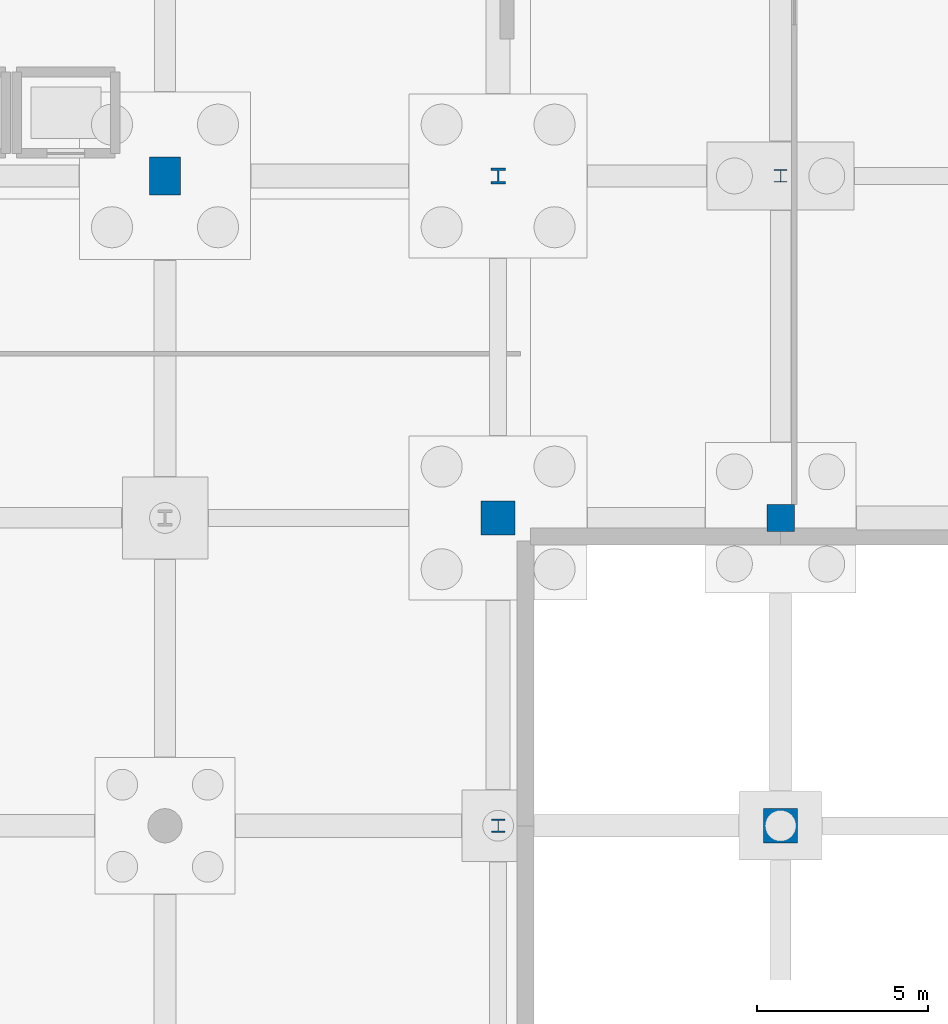
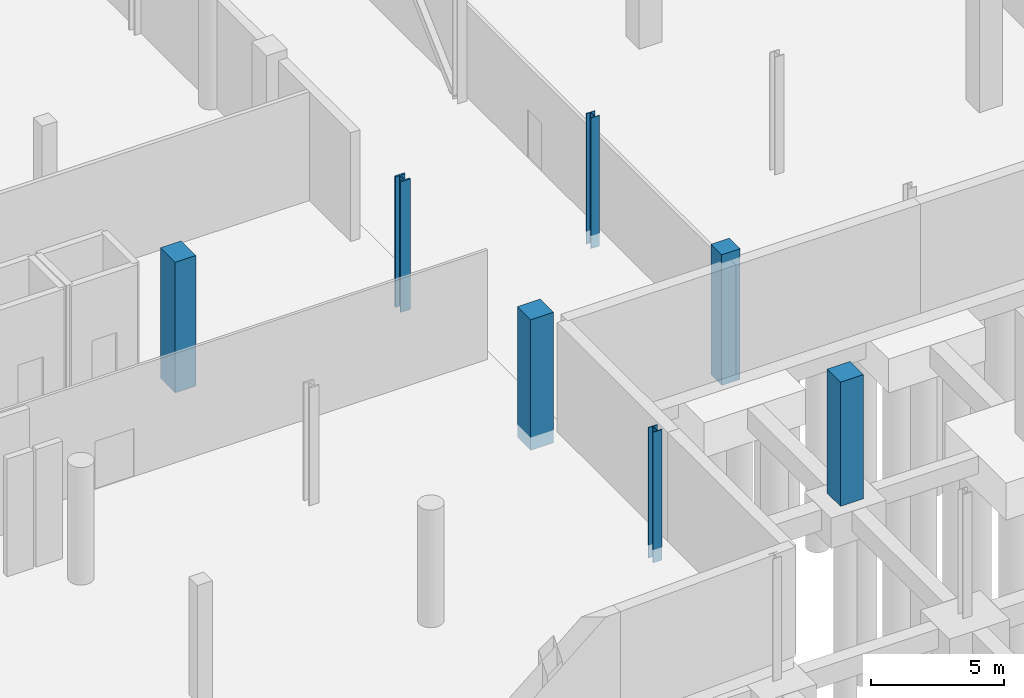
# One storey, part 23 of 60: 7 columns.
"""IFC4 building model written with IfcOpenShell, lengths in metres."""

import ifcopenshell
import ifcopenshell.guid

model = None  # the IFC model being written
_history = None  # IfcOwnerHistory: only IFC2X3 demands one
_inside = {}  # id of a spatial element -> (the spatial element, [elements in it])
_under = {}  # id of a project, library or spatial element -> (it, [spatial elements below it])
_declared = {}  # id of a project -> (the project, [libraries it declares])
_typed = {}  # id of a type object -> (the type object, [elements of that type])
_made_of = {}  # id of a material, layer set ... -> (it, [elements and type objects made of it])


def new_model(schema):
    """Start an empty IFC model of exactly this schema.

    Asked for "IFC4X3", IfcOpenShell would pick the latest addendum, in which some entities
    have other attributes; the version numbers below select the first issue.
    IFC2X3 requires an IfcOwnerHistory on every rooted entity: one is made here for all.
    """
    global model, _history
    if schema == "IFC4X3":
        model = ifcopenshell.file(schema_version=(4, 3, 0, 0))
    else:
        model = ifcopenshell.file(schema=schema)
    _inside.clear()
    _under.clear()
    _declared.clear()
    _typed.clear()
    _made_of.clear()
    _history = None
    if model.schema == "IFC2X3":
        org = make("IfcOrganization", Name="unknown")
        user = make(
            "IfcPersonAndOrganization",
            ThePerson=make("IfcPerson", FamilyName="unknown"),
            TheOrganization=org,
        )
        app = make(
            "IfcApplication",
            ApplicationDeveloper=org,
            Version="unknown",
            ApplicationFullName="unknown",
            ApplicationIdentifier="unknown",
        )
        _history = make(
            "IfcOwnerHistory",
            OwningUser=user,
            OwningApplication=app,
            ChangeAction="ADDED",
            CreationDate=0,
        )
    return model


def make(cls, **values):
    """One entity of the class cls with the attributes given. An attribute that is None is left unset."""
    return model.create_entity(
        cls, **{name: value for name, value in values.items() if value is not None}
    )


def rooted(cls, **values):
    """An entity with a GlobalId (a new one), such as an element, a storey or a relation."""
    return make(cls, GlobalId=ifcopenshell.guid.new(), OwnerHistory=_history, **values)


def si_unit(unit_type, name, prefix=None):
    """IfcSIUnit, for example si_unit("LENGTHUNIT", "METRE", prefix="MILLI")."""
    return make("IfcSIUnit", UnitType=unit_type, Prefix=prefix, Name=name)


def assignment(units):
    """IfcUnitAssignment: the units of a project."""
    return None if units is None else make("IfcUnitAssignment", Units=units)


def point(xyz):
    """IfcCartesianPoint."""
    return None if xyz is None else make("IfcCartesianPoint", Coordinates=xyz)


def direction(xyz):
    """IfcDirection."""
    return None if xyz is None else make("IfcDirection", DirectionRatios=xyz)


def frame(location, z_axis=None, x_axis=None):
    """IfcAxis2Placement3D, a coordinate frame: its origin and axes. An axis left out is left unset."""
    return make(
        "IfcAxis2Placement3D",
        Location=point(location),
        Axis=direction(z_axis),
        RefDirection=direction(x_axis),
    )


def frame_2d(location, x_axis=None):
    """IfcAxis2Placement2D, a coordinate frame in the plane: its origin and x axis."""
    return make(
        "IfcAxis2Placement2D", Location=point(location), RefDirection=direction(x_axis)
    )


def origin():
    """The frame at (0, 0, 0) with its axes left unset."""
    return frame((0.0, 0.0, 0.0))


def origin_2d():
    """The frame at (0, 0) in the plane with its x axis left unset."""
    return frame_2d((0.0, 0.0))


def place(relative_to, where):
    """IfcLocalPlacement: puts the frame where relative to a parent placement (None: the world)."""
    return make(
        "IfcLocalPlacement", PlacementRelTo=relative_to, RelativePlacement=where
    )


def context(
    kind, dimensions, precision=None, world=None, true_north=None, identifier=None
):
    """IfcGeometricRepresentationContext, for example the 3D "Model" context."""
    return make(
        "IfcGeometricRepresentationContext",
        ContextIdentifier=identifier,
        ContextType=kind,
        CoordinateSpaceDimension=dimensions,
        Precision=precision,
        WorldCoordinateSystem=world,
        TrueNorth=true_north,
    )


def subcontext(parent, identifier, kind, view, scale=None):
    """IfcGeometricRepresentationSubContext, for example "Body" below "Model"."""
    return make(
        "IfcGeometricRepresentationSubContext",
        ContextIdentifier=identifier,
        ContextType=kind,
        ParentContext=parent,
        TargetScale=scale,
        TargetView=view,
    )


def project(units=None, contexts=None):
    """IfcProject with its units and contexts."""
    return rooted(
        "IfcProject",
        Name="project",
        RepresentationContexts=contexts,
        UnitsInContext=assignment(units),
    )


def spatial(cls, under=None, at=None, **own):
    """A site, building, storey or space (cls), placed at a placement, below another one or the project."""
    s = rooted(cls, ObjectPlacement=at, **own)
    if under is not None:
        _under.setdefault(under.id(), (under, []))[1].append(s)
    return s


def profile(cls, at=None, kind="AREA", **sizes):
    """A parametric profile (cls). Its sizes go by their IFC names, for example OverallWidth=200.0."""
    return make(cls, ProfileType=kind, Position=at, **sizes)


def rectangle(**sizes):
    """IfcRectangleProfileDef."""
    return profile("IfcRectangleProfileDef", **sizes)


def i_section(**sizes):
    """IfcIShapeProfileDef."""
    return profile("IfcIShapeProfileDef", **sizes)


def extrude(swept, where, along, depth):
    """IfcExtrudedAreaSolid: the profile swept, set in the frame where, extruded along a direction by depth."""
    return make(
        "IfcExtrudedAreaSolid",
        SweptArea=swept,
        Position=where,
        ExtrudedDirection=direction(along),
        Depth=depth,
    )


def shape(context_of_items, identifier, shape_type, items):
    """IfcShapeRepresentation: the items that make up one representation, for example the "Body"."""
    return make(
        "IfcShapeRepresentation",
        ContextOfItems=context_of_items,
        RepresentationIdentifier=identifier,
        RepresentationType=shape_type,
        Items=items,
    )


def material(Name=None, Category=None):
    """IfcMaterial."""
    return make("IfcMaterial", Name=Name, Category=Category)


def material_profile(
    of_material, cross_section, Name=None, Category=None, Priority=None
):
    """IfcMaterialProfile: a cross section and its material."""
    return make(
        "IfcMaterialProfile",
        Name=Name,
        Material=of_material,
        Profile=cross_section,
        Priority=Priority,
        Category=Category,
    )


def profile_set(profiles, Name=None, composite=None):
    """IfcMaterialProfileSet."""
    return make(
        "IfcMaterialProfileSet",
        Name=Name,
        MaterialProfiles=profiles,
        CompositeProfile=composite,
    )


def made_of(thing, what):
    """Note that an element or type object is made of a material, layer set ...; save() writes the relation."""
    if what is not None:
        _made_of.setdefault(what.id(), (what, []))[1].append(thing)
    return thing


def type_object(cls, material=None, **own):
    """A type object (cls), such as IfcWallType, which elements share."""
    return made_of(rooted(cls, **own), material)


def element(
    cls,
    number,
    at=None,
    inside=None,
    cuts=None,
    type_object=None,
    material=None,
    context=None,
    identifier="Body",
    shape_type=None,
    held_by="IfcProductDefinitionShape",
    body=None,
    shapes=None,
    **own,
):
    """One element of the class cls, such as IfcWall. Its Tag is "e" and its number.

    at: its placement. inside: the storey or other place that contains it. cuts: it is an
    opening in that element (IfcRelVoidsElement). A single representation is given by context,
    identifier, shape_type and body (its items); several are given by shapes. held_by: the class
    of the entity that holds the representations. save() writes the other relations.
    """
    e = rooted(cls, Tag="e%d" % number, ObjectPlacement=at, **own)
    if body is not None:
        shapes = [shape(context, identifier, shape_type, body)]
    if shapes is not None:
        e.Representation = make(held_by, Representations=shapes)
    if inside is not None:
        _inside.setdefault(inside.id(), (inside, []))[1].append(e)
    if cuts is not None:
        rooted(
            "IfcRelVoidsElement", RelatingBuildingElement=cuts, RelatedOpeningElement=e
        )
    if type_object is not None:
        _typed.setdefault(type_object.id(), (type_object, []))[1].append(e)
    return made_of(e, material)


def aggregate(whole, parts):
    """IfcRelAggregates: a whole, such as a stair, and the parts it consists of."""
    return rooted("IfcRelAggregates", RelatingObject=whole, RelatedObjects=parts)


def save(model, path):
    """Write the relations noted so far, then the file.

    IfcRelAggregates (storeys below a building ...), IfcRelContainedInSpatialStructure (elements
    in a storey), IfcRelDefinesByType, IfcRelAssociatesMaterial and IfcRelDeclares: one each for
    every whole, place, type object, material and project.
    """
    for whole, parts in _under.values():
        aggregate(whole, parts)
    for where, things in _inside.values():
        rooted(
            "IfcRelContainedInSpatialStructure",
            RelatedElements=things,
            RelatingStructure=where,
        )
    for kind, things in _typed.values():
        rooted("IfcRelDefinesByType", RelatedObjects=things, RelatingType=kind)
    for what, things in _made_of.values():
        rooted("IfcRelAssociatesMaterial", RelatedObjects=things, RelatingMaterial=what)
    for by, libraries in _declared.values():
        rooted("IfcRelDeclares", RelatingContext=by, RelatedDefinitions=libraries)
    model.write(path)


model = new_model("IFC4")

# Units and contexts
model_context = context("Model", 3, precision=1e-05, world=origin(), true_north=direction((0.0, 1.0)))
body_context = subcontext(model_context, "Body", "Model", "MODEL_VIEW")
ifc_project = project(units=[si_unit("LENGTHUNIT", "METRE"), si_unit("AREAUNIT", "SQUARE_METRE"), si_unit("VOLUMEUNIT", "CUBIC_METRE"), si_unit("PLANEANGLEUNIT", "RADIAN"), si_unit("MASSUNIT", "GRAM", prefix="KILO")], contexts=[model_context])

# Site, building, storey
site_placement = place(None, origin())
site = spatial("IfcSite", under=ifc_project, at=site_placement, CompositionType="ELEMENT")
building_placement = place(site_placement, origin())
building = spatial("IfcBuilding", under=site, at=building_placement, Name="Trimount Lyric Opera House", CompositionType="ELEMENT")
storey_placement = place(building_placement, frame((0.0, 0.0, -5.39990234375)))
storey = spatial("IfcBuildingStorey", under=building, at=storey_placement, Name="B1", CompositionType="ELEMENT", Elevation=-5.39990234375)

# Columns
ifc_material_1 = material(Name="Steel ASTM A992 Grade 50", Category="steel")
ifc_material_profile_1 = material_profile(ifc_material_1, i_section(OverallWidth=0.422119140625, OverallDepth=0.465087890625, WebThickness=0.044921875, FlangeThickness=0.072509765625, FilletRadius=0.02001953125, at=origin_2d()), Name="W14X398")
ifc_profile_set_1 = profile_set([ifc_material_profile_1], Name="Steel ASTM A992 Grade 50")
column_type_1 = type_object("IfcColumnType", Name="C-01", PredefinedType="COLUMN", material=ifc_profile_set_1)
column_1_placement = place(storey_placement, frame((113.739990234375, 54.0, -0.60009765625), z_axis=(0.0, 0.0, 1.0), x_axis=(1.0, 0.0, 0.0)))
element("IfcColumn", 1, at=column_1_placement, inside=storey, type_object=column_type_1, Name="B1 column 13/G", PredefinedType="COLUMN", context=body_context, shape_type="SweptSolid", body=[
    extrude(i_section(OverallWidth=0.422119140625, OverallDepth=0.465087890625, WebThickness=0.044921875, FlangeThickness=0.072509765625, FilletRadius=0.02001953125, at=origin_2d()), origin(), (0.0, 0.0, 1.0), 6.0),
])
ifc_material_2 = material(Name="Steel ASTM A992 Grade 50", Category="steel")
ifc_material_profile_2 = material_profile(ifc_material_2, i_section(OverallWidth=0.39892578125, OverallDepth=0.385986328125, WebThickness=0.02099609375, FlangeThickness=0.033203125, FilletRadius=0.01611328125, at=origin_2d()), Name="W14X176")
ifc_profile_set_2 = profile_set([ifc_material_profile_2], Name="Steel ASTM A992 Grade 50")
column_type_2 = type_object("IfcColumnType", Name="C-03", PredefinedType="COLUMN", material=ifc_profile_set_2)
column_2_placement = place(storey_placement, frame((113.739990234375, 35.0, -0.60009765625), z_axis=(0.0, 0.0, 1.0), x_axis=(1.0, 0.0, 0.0)))
element("IfcColumn", 2, at=column_2_placement, inside=storey, type_object=column_type_2, Name="B1 column 13/E", PredefinedType="COLUMN", context=body_context, shape_type="SweptSolid", body=[
    extrude(i_section(OverallWidth=0.39892578125, OverallDepth=0.385986328125, WebThickness=0.02099609375, FlangeThickness=0.033203125, FilletRadius=0.01611328125, at=origin_2d()), origin(), (0.0, 0.0, 1.0), 6.0),
])
ifc_material_3 = material(Name="Steel ASTM A992 Grade 50", Category="steel")
ifc_material_profile_3 = material_profile(ifc_material_3, i_section(OverallWidth=0.373046875, OverallDepth=0.367919921875, WebThickness=0.014892578125, FlangeThickness=0.02392578125, FilletRadius=0.014892578125, at=origin_2d()), Name="W14X120")
ifc_profile_set_3 = profile_set([ifc_material_profile_3], Name="Steel ASTM A992 Grade 50")
column_type_3 = type_object("IfcColumnType", Name="C-08", PredefinedType="COLUMN", material=ifc_profile_set_3)
column_3_placement = place(storey_placement, frame((122.0, 54.0, -0.60009765625), z_axis=(0.0, 0.0, 1.0), x_axis=(1.0, 0.0, 0.0)))
element("IfcColumn", 3, at=column_3_placement, inside=storey, type_object=column_type_3, Name="B1 column 14/G", PredefinedType="COLUMN", context=body_context, shape_type="SweptSolid", body=[
    extrude(i_section(OverallWidth=0.373046875, OverallDepth=0.367919921875, WebThickness=0.014892578125, FlangeThickness=0.02392578125, FilletRadius=0.014892578125, at=origin_2d()), origin(), (0.0, 0.0, 1.0), 6.0),
])
ifc_material_4 = material(Name="Concrete C50/60", Category="concrete")
ifc_material_profile_4 = material_profile(ifc_material_4, rectangle(XDim=0.89990234375, YDim=1.10009765625, at=origin_2d()), Name="RC1100X900")
ifc_profile_set_4 = profile_set([ifc_material_profile_4], Name="Concrete C50/60")
column_type_4 = type_object("IfcColumnType", Name="C-11", PredefinedType="COLUMN", material=ifc_profile_set_4)
column_4_placement = place(storey_placement, frame((104.0, 54.0, -0.60009765625), z_axis=(0.0, 0.0, 1.0), x_axis=(1.0, 0.0, 0.0)))
element("IfcColumn", 4, at=column_4_placement, inside=storey, type_object=column_type_4, Name="B1 column 12/G", PredefinedType="COLUMN", context=body_context, shape_type="SweptSolid", body=[
    extrude(rectangle(XDim=0.89990234375, YDim=1.10009765625, at=origin_2d()), origin(), (0.0, 0.0, 1.0), 6.0),
])
ifc_material_5 = material(Name="Concrete C50/60", Category="concrete")
ifc_material_profile_5 = material_profile(ifc_material_5, rectangle(XDim=1.0, YDim=1.0, at=origin_2d()), Name="RC1000X1000")
ifc_profile_set_5 = profile_set([ifc_material_profile_5], Name="Concrete C50/60")
column_type_5 = type_object("IfcColumnType", Name="C-12", PredefinedType="COLUMN", material=ifc_profile_set_5)
column_5_placement = place(storey_placement, frame((113.739990234375, 44.0, -0.60009765625), z_axis=(0.0, 0.0, 1.0), x_axis=(1.0, 0.0, 0.0)))
element("IfcColumn", 5, at=column_5_placement, inside=storey, type_object=column_type_5, Name="B1 column 13/F", PredefinedType="COLUMN", context=body_context, shape_type="SweptSolid", body=[
    extrude(rectangle(XDim=1.0, YDim=1.0, at=origin_2d()), origin(), (0.0, 0.0, 1.0), 6.0),
])
column_6_placement = place(storey_placement, frame((122.0, 35.0, -0.60009765625), z_axis=(0.0, 0.0, 1.0), x_axis=(1.0, 0.0, 0.0)))
element("IfcColumn", 6, at=column_6_placement, inside=storey, type_object=column_type_5, Name="B1 column 14/E", PredefinedType="COLUMN", context=body_context, shape_type="SweptSolid", body=[
    extrude(rectangle(XDim=1.0, YDim=1.0, at=origin_2d()), origin(), (0.0, 0.0, 1.0), 5.699951171875),
])
ifc_material_6 = material(Name="Concrete C40/50", Category="concrete")
ifc_material_profile_6 = material_profile(ifc_material_6, rectangle(XDim=0.800048828125, YDim=0.800048828125, at=origin_2d()), Name="RC800X800")
ifc_profile_set_6 = profile_set([ifc_material_profile_6], Name="Concrete C40/50")
column_type_6 = type_object("IfcColumnType", Name="C-14", PredefinedType="COLUMN", material=ifc_profile_set_6)
column_7_placement = place(storey_placement, frame((122.0, 44.0, -0.60009765625), z_axis=(0.0, 0.0, 1.0), x_axis=(1.0, 0.0, 0.0)))
element("IfcColumn", 7, at=column_7_placement, inside=storey, type_object=column_type_6, Name="B1 column 14/F", PredefinedType="COLUMN", context=body_context, shape_type="SweptSolid", body=[
    extrude(rectangle(XDim=0.800048828125, YDim=0.800048828125, at=origin_2d()), origin(), (0.0, 0.0, 1.0), 6.0),
])

save(model, "model.ifc")
